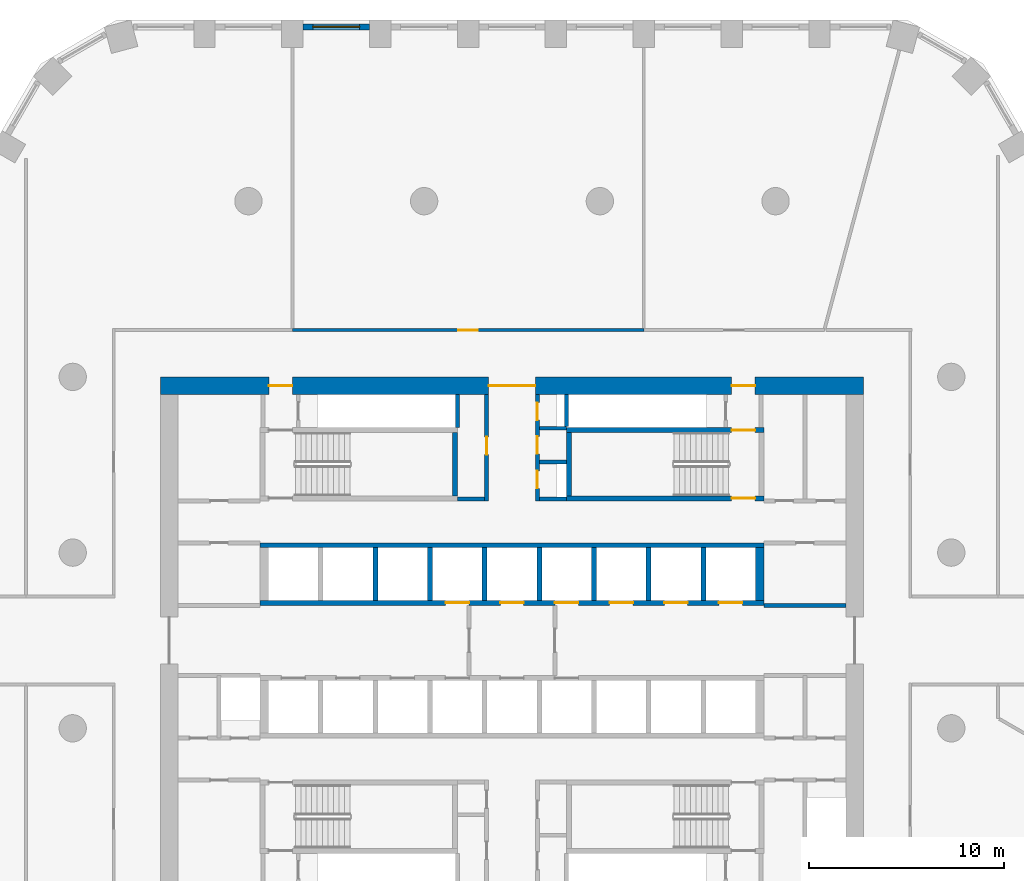
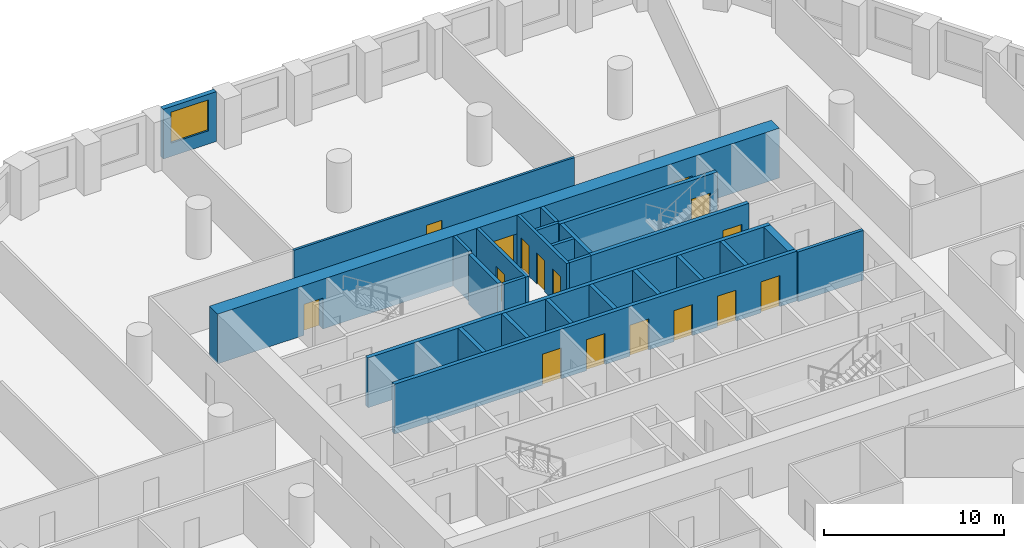
# One storey, part 6 of 10: 26 walls, 16 doors, 1 window, 17 openings.
"""IFC4 building model written with IfcOpenShell, lengths in metres."""

from ifc_helpers import new_model, si_unit, direction, frame, frame_2d, origin, place, context, subcontext, project, spatial, polyline, rectangle, outline, extrude, material, layer, layer_set, type_object, element, fill, save


model = new_model("IFC4")

# Units and contexts
model_context = context("Model", 3, precision=1e-05, world=origin(), true_north=direction((0.0, 1.0)))
body_context = subcontext(model_context, "Body", "Model", "MODEL_VIEW")
ifc_project = project(units=[si_unit("LENGTHUNIT", "METRE"), si_unit("AREAUNIT", "SQUARE_METRE"), si_unit("VOLUMEUNIT", "CUBIC_METRE"), si_unit("PLANEANGLEUNIT", "RADIAN"), si_unit("MASSUNIT", "GRAM", prefix="KILO")], contexts=[model_context])

# Site, building, storey
site_placement = place(None, origin())
site = spatial("IfcSite", under=ifc_project, at=site_placement, CompositionType="ELEMENT")
building_placement = place(site_placement, origin())
building = spatial("IfcBuilding", under=site, at=building_placement, Name="Dhurran Vertical Campus", CompositionType="ELEMENT")
storey_placement = place(building_placement, frame((0.0, 0.0, 72.89990234375)))
storey = spatial("IfcBuildingStorey", under=building, at=storey_placement, Name="L17", CompositionType="ELEMENT", Elevation=72.89990234375)

# Wall, opening, window
ifc_material_1 = material(Name="Precast concrete C50/60", Category="concrete")
ifc_layer_1 = layer(ifc_material_1, 0.300048828125)
ifc_layer_set_1 = layer_set([ifc_layer_1], Name="Precast concrete C50/60")
wall_type_1 = type_object("IfcWallType", Name="Precast spandrel wall 300", PredefinedType="SOLIDWALL", material=ifc_layer_set_1)
wall_1_placement = place(storey_placement, frame((-7.300537109375, 31.4296875, 0.0), z_axis=(0.0, 0.0, 1.0), x_axis=(-1.0, 0.0, 0.0)))
wall_1 = element("IfcWall", 1, at=wall_1_placement, inside=storey, type_object=wall_type_1, Name="EW1 L17.32", PredefinedType="SOLIDWALL", context=body_context, shape_type="SweptSolid", body=[
    extrude(rectangle(XDim=3.39892578125, YDim=0.300048828125, at=frame_2d((1.699462890625, 0.0))), origin(), (0.0, 0.0, 1.0), 3.375),
])
opening_1_placement = place(wall_1_placement, frame((0.49951171875, 0.0, 0.89990234375)))
opening_1 = element("IfcOpeningElement", 2, at=opening_1_placement, cuts=wall_1, Name="Opening WT1", PredefinedType="OPENING", context=body_context, shape_type="SweptSolid", body=[
    extrude(rectangle(XDim=2.39990234375, YDim=2.10009765625, at=frame_2d((1.199951171875, 1.050048828125))), frame((0.0, 0.159912109375, 0.0), z_axis=(0.0, -1.0, 0.0), x_axis=(1.0, 0.0, 0.0)), (0.0, 0.0, 1.0), 0.320068359375),
])
ifc_material_2 = material(Name="Aluminium frame with solar-control glass", Category="aluminium")
window_type = type_object("IfcWindowType", Name="Punched window 2400 x 2100", PartitioningType="SINGLE_PANEL", PredefinedType="WINDOW", material=ifc_material_2)
window_placement = place(opening_1_placement, origin())
window = element("IfcWindow", 3, at=window_placement, inside=storey, type_object=window_type, Name="WT1 L17.32", OverallHeight=2.10009765625, OverallWidth=2.39990234375, PartitioningType="SINGLE_PANEL", PredefinedType="WINDOW", context=body_context, shape_type="SweptSolid", body=[
    extrude(rectangle(XDim=2.39990234375, YDim=2.10009765625, at=frame_2d((1.199951171875, 1.050048828125))), frame((0.0, 0.030029296875, 0.0), z_axis=(0.0, -1.0, 0.0), x_axis=(1.0, 0.0, 0.0)), (0.0, 0.0, 1.0), 0.06005859375),
])
fill(opening_1, window)

# Wall, openings, doors
ifc_material_3 = material(Name="Concrete C60/75", Category="concrete")
ifc_layer_2 = layer(ifc_material_3, 0.89990234375)
ifc_layer_set_2 = layer_set([ifc_layer_2], Name="Concrete C60/75")
wall_type_2 = type_object("IfcWallType", Name="co-CORE-WALL-C0-900", PredefinedType="SHEAR", material=ifc_layer_set_2)
wall_2_placement = place(storey_placement, frame((-18.0, 13.050048828125, 0.0), z_axis=(0.0, 0.0, 1.0), x_axis=(1.0, 0.0, 0.0)))
wall_2 = element("IfcWall", 4, at=wall_2_placement, inside=storey, type_object=wall_type_2, Name="Core wall N L17", PredefinedType="SHEAR", context=body_context, shape_type="SweptSolid", body=[
    extrude(rectangle(XDim=36.0, YDim=0.89990234375, at=frame_2d((18.0, 0.0))), origin(), (0.0, 0.0, 1.0), 3.375),
])
opening_2_placement = place(wall_2_placement, frame((16.800048828125, 0.0, 0.0)))
opening_2 = element("IfcOpeningElement", 5, at=opening_2_placement, cuts=wall_2, Name="Opening CV1", PredefinedType="OPENING", context=body_context, shape_type="SweptSolid", body=[
    extrude(rectangle(XDim=2.39990234375, YDim=2.10009765625, at=frame_2d((1.199951171875, 1.050048828125))), frame((0.0, 0.4599609375, 0.0), z_axis=(0.0, -1.0, 0.0), x_axis=(1.0, 0.0, 0.0)), (0.0, 0.0, 1.0), 0.919921875),
])
opening_3_placement = place(wall_2_placement, frame((5.550048828125, 0.0, 0.0)))
opening_3 = element("IfcOpeningElement", 6, at=opening_3_placement, cuts=wall_2, Name="Opening XD1", PredefinedType="OPENING", context=body_context, shape_type="SweptSolid", body=[
    extrude(rectangle(XDim=1.199951171875, YDim=2.10009765625, at=frame_2d((0.60009765625, 1.050048828125))), frame((0.0, 0.4599609375, 0.0), z_axis=(0.0, -1.0, 0.0), x_axis=(1.0, 0.0, 0.0)), (0.0, 0.0, 1.0), 0.919921875),
])
opening_4_placement = place(wall_2_placement, frame((29.25, 0.0, 0.0)))
opening_4 = element("IfcOpeningElement", 7, at=opening_4_placement, cuts=wall_2, Name="Opening XD2", PredefinedType="OPENING", context=body_context, shape_type="SweptSolid", body=[
    extrude(rectangle(XDim=1.199951171875, YDim=2.10009765625, at=frame_2d((0.60009765625, 1.050048828125))), frame((0.0, 0.4599609375, 0.0), z_axis=(0.0, -1.0, 0.0), x_axis=(1.0, 0.0, 0.0)), (0.0, 0.0, 1.0), 0.919921875),
])
ifc_material_4 = material(Name="Fire-rated glazed door set")
door_type_1 = type_object("IfcDoorType", Name="co-D-LOBBY 2400x2100", OperationType="DOUBLE_DOOR_DOUBLE_SWING", PredefinedType="DOOR", material=ifc_material_4)
door_1_placement = place(opening_2_placement, origin())
door_1 = element("IfcDoor", 8, at=door_1_placement, inside=storey, type_object=door_type_1, Name="Core vestibule door N L17", OperationType="DOUBLE_DOOR_DOUBLE_SWING", OverallHeight=2.10009765625, OverallWidth=2.39990234375, PredefinedType="DOOR", context=body_context, shape_type="SweptSolid", body=[
    extrude(rectangle(XDim=2.39990234375, YDim=2.10009765625, at=frame_2d((1.199951171875, 1.050048828125))), frame((0.0, 0.02490234375, 0.0), z_axis=(0.0, -1.0, 0.0), x_axis=(1.0, 0.0, 0.0)), (0.0, 0.0, 1.0), 0.050048828125),
])
fill(opening_2, door_1)
ifc_material_5 = material(Name="Fire-rated steel door set", Category="steel")
door_type_2 = type_object("IfcDoorType", Name="co-D-STAIR-EXIT 1200x2100", OperationType="SINGLE_SWING_RIGHT", PredefinedType="DOOR", material=ifc_material_5)
door_2_placement = place(opening_3_placement, origin())
door_2 = element("IfcDoor", 9, at=door_2_placement, inside=storey, type_object=door_type_2, Name="Stair ST1 exit door L17", OperationType="SINGLE_SWING_RIGHT", OverallHeight=2.10009765625, OverallWidth=1.199951171875, PredefinedType="DOOR", context=body_context, shape_type="SweptSolid", body=[
    extrude(rectangle(XDim=1.199951171875, YDim=2.10009765625, at=frame_2d((0.60009765625, 1.050048828125))), frame((0.0, 0.02490234375, 0.0), z_axis=(0.0, -1.0, 0.0), x_axis=(1.0, 0.0, 0.0)), (0.0, 0.0, 1.0), 0.050048828125),
])
fill(opening_3, door_2)
door_3_placement = place(opening_4_placement, origin())
door_3 = element("IfcDoor", 10, at=door_3_placement, inside=storey, type_object=door_type_2, Name="Stair ST2 exit door L17", OperationType="SINGLE_SWING_RIGHT", OverallHeight=2.10009765625, OverallWidth=1.199951171875, PredefinedType="DOOR", context=body_context, shape_type="SweptSolid", body=[
    extrude(rectangle(XDim=1.199951171875, YDim=2.10009765625, at=frame_2d((0.60009765625, 1.050048828125))), frame((0.0, 0.02490234375, 0.0), z_axis=(0.0, -1.0, 0.0), x_axis=(1.0, 0.0, 0.0)), (0.0, 0.0, 1.0), 0.050048828125),
])
fill(opening_4, door_3)

# Walls
ifc_material_6 = material(Name="Fire-rated masonry blockwork", Category="masonry")
ifc_layer_3 = layer(ifc_material_6, 0.199951171875)
ifc_layer_set_3 = layer_set([ifc_layer_3], Name="Fire-rated masonry blockwork")
wall_type_3 = type_object("IfcWallType", Name="co-FIRE-PARTITION-200", PredefinedType="PARTITIONING", material=ifc_layer_set_3)
for number, where, z_axis, x_axis, name in (
    (11, (-2.800048828125, 7.25, 0.0), (0.0, 0.0, 1.0), (1.0, 0.0, 0.0), "Core partition sl-NW-S L17"),
    (12, (1.39990234375, 7.25, 0.0), (0.0, 0.0, 1.0), (1.0, 0.0, 0.0), "Core partition sl-NE-S L17"),
    (13, (1.39990234375, 9.135009765625, 0.0), (0.0, 0.0, 1.0), (1.0, 0.0, 0.0), "Core partition sl-NE-cut0 L17"),
    (14, (1.39990234375, 10.867431640625, 0.0), (0.0, 0.0, 1.0), (1.0, 0.0, 0.0), "Core partition sl-NE-cut1 L17"),
):
    element("IfcWall", number, at=place(storey_placement, frame(where, z_axis=z_axis, x_axis=x_axis)), inside=storey, type_object=wall_type_3, Name=name, PredefinedType="PARTITIONING", context=body_context, shape_type="SweptSolid", body=[
        extrude(rectangle(XDim=1.400146484375, YDim=0.199951171875, at=frame_2d((0.7001953125, 0.0))), origin(), (0.0, 0.0, 1.0), 3.375),
    ])

# Wall, opening, door
wall_3_placement = place(storey_placement, frame((-1.300048828125, 7.14990234375, 0.0), z_axis=(0.0, 0.0, 1.0), x_axis=(0.0, 1.0, 0.0)))
wall_3 = element("IfcWall", 15, at=wall_3_placement, inside=storey, type_object=wall_type_3, Name="Core partition vest-NW L17", PredefinedType="PARTITIONING", context=body_context, shape_type="SweptSolid", body=[
    extrude(rectangle(XDim=5.4501953125, YDim=0.199951171875, at=frame_2d((2.72509765625, 0.0))), origin(), (0.0, 0.0, 1.0), 3.375),
])
opening_5_placement = place(wall_3_placement, frame((2.375, 0.0, 0.0)))
opening_5 = element("IfcOpeningElement", 16, at=opening_5_placement, cuts=wall_3, Name="Opening T04-C5", PredefinedType="OPENING", context=body_context, shape_type="SweptSolid", body=[
    extrude(rectangle(XDim=0.89990234375, YDim=2.10009765625, at=frame_2d((0.449951171875, 1.050048828125))), frame((0.0, 0.10986328125, 0.0), z_axis=(0.0, -1.0, 0.0), x_axis=(1.0, 0.0, 0.0)), (0.0, 0.0, 1.0), 0.219970703125),
])
ifc_material_7 = material(Name="Fire-rated timber door set", Category="wood")
door_type_3 = type_object("IfcDoorType", Name="co-D-ROOM 900x2100", OperationType="SINGLE_SWING_LEFT", PredefinedType="DOOR", material=ifc_material_7)
door_4_placement = place(opening_5_placement, origin())
door_4 = element("IfcDoor", 17, at=door_4_placement, inside=storey, type_object=door_type_3, Name="Plant room door L17", OperationType="SINGLE_SWING_LEFT", OverallHeight=2.10009765625, OverallWidth=0.89990234375, PredefinedType="DOOR", context=body_context, shape_type="SweptSolid", body=[
    extrude(rectangle(XDim=0.89990234375, YDim=2.10009765625, at=frame_2d((0.449951171875, 1.050048828125))), frame((0.0, 0.02490234375, 0.0), z_axis=(0.0, -1.0, 0.0), x_axis=(1.0, 0.0, 0.0)), (0.0, 0.0, 1.0), 0.050048828125),
])
fill(opening_5, door_4)

# Wall, openings, doors
wall_4_placement = place(storey_placement, frame((1.300048828125, 7.14990234375, 0.0), z_axis=(0.0, 0.0, 1.0), x_axis=(0.0, 1.0, 0.0)))
wall_4 = element("IfcWall", 18, at=wall_4_placement, inside=storey, type_object=wall_type_3, Name="Core partition vest-NE L17", PredefinedType="PARTITIONING", context=body_context, shape_type="SweptSolid", body=[
    extrude(rectangle(XDim=5.4501953125, YDim=0.199951171875, at=frame_2d((2.72509765625, 0.0))), origin(), (0.0, 0.0, 1.0), 3.375),
])
opening_6_placement = place(wall_4_placement, frame((0.642578125, 0.0, 0.0)))
opening_6 = element("IfcOpeningElement", 19, at=opening_6_placement, cuts=wall_4, Name="Opening T04-C6", PredefinedType="OPENING", context=body_context, shape_type="SweptSolid", body=[
    extrude(rectangle(XDim=0.89990234375, YDim=2.10009765625, at=frame_2d((0.449951171875, 1.050048828125))), frame((0.0, 0.10986328125, 0.0), z_axis=(0.0, -1.0, 0.0), x_axis=(1.0, 0.0, 0.0)), (0.0, 0.0, 1.0), 0.219970703125),
])
opening_7_placement = place(wall_4_placement, frame((2.401123046875, 0.0, 0.0)))
opening_7 = element("IfcOpeningElement", 20, at=opening_7_placement, cuts=wall_4, Name="Opening T04-C7", PredefinedType="OPENING", context=body_context, shape_type="SweptSolid", body=[
    extrude(rectangle(XDim=0.89990234375, YDim=2.10009765625, at=frame_2d((0.449951171875, 1.050048828125))), frame((0.0, 0.10986328125, 0.0), z_axis=(0.0, -1.0, 0.0), x_axis=(1.0, 0.0, 0.0)), (0.0, 0.0, 1.0), 0.219970703125),
])
opening_8_placement = place(wall_4_placement, frame((4.1337890625, 0.0, 0.0)))
opening_8 = element("IfcOpeningElement", 21, at=opening_8_placement, cuts=wall_4, Name="Opening T04-C8", PredefinedType="OPENING", context=body_context, shape_type="SweptSolid", body=[
    extrude(rectangle(XDim=0.89990234375, YDim=2.10009765625, at=frame_2d((0.449951171875, 1.050048828125))), frame((0.0, 0.10986328125, 0.0), z_axis=(0.0, -1.0, 0.0), x_axis=(1.0, 0.0, 0.0)), (0.0, 0.0, 1.0), 0.219970703125),
])
door_5_placement = place(opening_6_placement, origin())
door_5 = element("IfcDoor", 22, at=door_5_placement, inside=storey, type_object=door_type_3, Name="Water riser door L17", OperationType="SINGLE_SWING_LEFT", OverallHeight=2.10009765625, OverallWidth=0.89990234375, PredefinedType="DOOR", context=body_context, shape_type="SweptSolid", body=[
    extrude(rectangle(XDim=0.89990234375, YDim=2.10009765625, at=frame_2d((0.449951171875, 1.050048828125))), frame((0.0, 0.02490234375, 0.0), z_axis=(0.0, -1.0, 0.0), x_axis=(1.0, 0.0, 0.0)), (0.0, 0.0, 1.0), 0.050048828125),
])
fill(opening_6, door_5)
door_6_placement = place(opening_7_placement, origin())
door_6 = element("IfcDoor", 23, at=door_6_placement, inside=storey, type_object=door_type_3, Name="Waste room door L17", OperationType="SINGLE_SWING_LEFT", OverallHeight=2.10009765625, OverallWidth=0.89990234375, PredefinedType="DOOR", context=body_context, shape_type="SweptSolid", body=[
    extrude(rectangle(XDim=0.89990234375, YDim=2.10009765625, at=frame_2d((0.449951171875, 1.050048828125))), frame((0.0, 0.02490234375, 0.0), z_axis=(0.0, -1.0, 0.0), x_axis=(1.0, 0.0, 0.0)), (0.0, 0.0, 1.0), 0.050048828125),
])
fill(opening_7, door_6)
door_7_placement = place(opening_8_placement, origin())
door_7 = element("IfcDoor", 24, at=door_7_placement, inside=storey, type_object=door_type_3, Name="Electrical riser door L17", OperationType="SINGLE_SWING_LEFT", OverallHeight=2.10009765625, OverallWidth=0.89990234375, PredefinedType="DOOR", context=body_context, shape_type="SweptSolid", body=[
    extrude(rectangle(XDim=0.89990234375, YDim=2.10009765625, at=frame_2d((0.449951171875, 1.050048828125))), frame((0.0, 0.02490234375, 0.0), z_axis=(0.0, -1.0, 0.0), x_axis=(1.0, 0.0, 0.0)), (0.0, 0.0, 1.0), 0.050048828125),
])
fill(opening_8, door_7)

# Walls
wall_5_placement = place(storey_placement, frame((12.89990234375, 1.800048828125, 0.0), z_axis=(0.0, 0.0, 1.0), x_axis=(1.0, 0.0, 0.0)))
element("IfcWall", 25, at=wall_5_placement, inside=storey, type_object=wall_type_3, Name="Core partition es-NE-l L17", PredefinedType="PARTITIONING", context=body_context, shape_type="SweptSolid", body=[
    extrude(rectangle(XDim=4.2001953125, YDim=0.199951171875, at=frame_2d((2.10009765625, 0.0))), origin(), (0.0, 0.0, 1.0), 3.375),
])
wall_6_placement = place(storey_placement, frame((-2.800048828125, 10.90087890625, 0.0), z_axis=(0.0, 0.0, 1.0), x_axis=(0.0, 1.0, 0.0)))
element("IfcWall", 26, at=wall_6_placement, inside=storey, type_object=wall_type_3, Name="Riser enclosure wall L17", PredefinedType="PARTITIONING", context=body_context, shape_type="SweptSolid", body=[
    extrude(rectangle(XDim=1.6982421875, YDim=0.199951171875, at=frame_2d((0.84912109375, 0.0))), origin(), (0.0, 0.0, 1.0), 3.375),
])
wall_7_placement = place(storey_placement, frame((2.800048828125, 10.968505859375, 0.0), z_axis=(0.0, 0.0, 1.0), x_axis=(0.0, 1.0, 0.0)))
element("IfcWall", 27, at=wall_7_placement, inside=storey, type_object=wall_type_3, Name="Riser enclosure wall L17", PredefinedType="PARTITIONING", context=body_context, shape_type="SweptSolid", body=[
    extrude(rectangle(XDim=1.630615234375, YDim=0.199951171875, at=frame_2d((0.8154296875, 0.0))), origin(), (0.0, 0.0, 1.0), 3.375),
])

# Wall, openings, doors
ifc_material_8 = material(Name="Concrete C50/60", Category="concrete")
ifc_layer_4 = layer(ifc_material_8, 0.25)
ifc_layer_set_4 = layer_set([ifc_layer_4], Name="Concrete C50/60")
wall_type_4 = type_object("IfcWallType", Name="co-SHAFT-FRONT-250", PredefinedType="SHEAR", material=ifc_layer_set_4)
wall_8_placement = place(storey_placement, frame((-12.89990234375, 1.925048828125, 0.0), z_axis=(0.0, 0.0, 1.0), x_axis=(1.0, 0.0, 0.0)))
wall_8 = element("IfcWall", 28, at=wall_8_placement, inside=storey, type_object=wall_type_4, Name="Lift landing wall N L17", PredefinedType="SHEAR", context=body_context, shape_type="SweptSolid", body=[
    extrude(rectangle(XDim=25.7998046875, YDim=0.25, at=frame_2d((12.89990234375, 0.0))), origin(), (0.0, 0.0, 1.0), 3.375),
])
opening_9_placement = place(wall_8_placement, frame((9.5, 0.0, 0.0)))
opening_9 = element("IfcOpeningElement", 29, at=opening_9_placement, cuts=wall_8, Name="Opening LD", PredefinedType="OPENING", context=body_context, shape_type="SweptSolid", body=[
    extrude(rectangle(XDim=1.199951171875, YDim=2.10009765625, at=frame_2d((0.60009765625, 1.050048828125))), frame((0.0, 0.135009765625, 0.0), z_axis=(0.0, -1.0, 0.0), x_axis=(1.0, 0.0, 0.0)), (0.0, 0.0, 1.0), 0.27001953125),
])
opening_10_placement = place(wall_8_placement, frame((12.300048828125, 0.0, 0.0)))
opening_10 = element("IfcOpeningElement", 30, at=opening_10_placement, cuts=wall_8, Name="Opening LD", PredefinedType="OPENING", context=body_context, shape_type="SweptSolid", body=[
    extrude(rectangle(XDim=1.199951171875, YDim=2.10009765625, at=frame_2d((0.60009765625, 1.050048828125))), frame((0.0, 0.135009765625, 0.0), z_axis=(0.0, -1.0, 0.0), x_axis=(1.0, 0.0, 0.0)), (0.0, 0.0, 1.0), 0.27001953125),
])
opening_11_placement = place(wall_8_placement, frame((15.10009765625, 0.0, 0.0)))
opening_11 = element("IfcOpeningElement", 31, at=opening_11_placement, cuts=wall_8, Name="Opening LD", PredefinedType="OPENING", context=body_context, shape_type="SweptSolid", body=[
    extrude(rectangle(XDim=1.199951171875, YDim=2.10009765625, at=frame_2d((0.60009765625, 1.050048828125))), frame((0.0, 0.135009765625, 0.0), z_axis=(0.0, -1.0, 0.0), x_axis=(1.0, 0.0, 0.0)), (0.0, 0.0, 1.0), 0.27001953125),
])
opening_12_placement = place(wall_8_placement, frame((17.89990234375, 0.0, 0.0)))
opening_12 = element("IfcOpeningElement", 32, at=opening_12_placement, cuts=wall_8, Name="Opening LD", PredefinedType="OPENING", context=body_context, shape_type="SweptSolid", body=[
    extrude(rectangle(XDim=1.199951171875, YDim=2.10009765625, at=frame_2d((0.60009765625, 1.050048828125))), frame((0.0, 0.135009765625, 0.0), z_axis=(0.0, -1.0, 0.0), x_axis=(1.0, 0.0, 0.0)), (0.0, 0.0, 1.0), 0.27001953125),
])
opening_13_placement = place(wall_8_placement, frame((20.699951171875, 0.0, 0.0)))
opening_13 = element("IfcOpeningElement", 33, at=opening_13_placement, cuts=wall_8, Name="Opening LD", PredefinedType="OPENING", context=body_context, shape_type="SweptSolid", body=[
    extrude(rectangle(XDim=1.199951171875, YDim=2.10009765625, at=frame_2d((0.60009765625, 1.050048828125))), frame((0.0, 0.135009765625, 0.0), z_axis=(0.0, -1.0, 0.0), x_axis=(1.0, 0.0, 0.0)), (0.0, 0.0, 1.0), 0.27001953125),
])
opening_14_placement = place(wall_8_placement, frame((23.5, 0.0, 0.0)))
opening_14 = element("IfcOpeningElement", 34, at=opening_14_placement, cuts=wall_8, Name="Opening LD", PredefinedType="OPENING", context=body_context, shape_type="SweptSolid", body=[
    extrude(rectangle(XDim=1.199951171875, YDim=2.10009765625, at=frame_2d((0.60009765625, 1.050048828125))), frame((0.0, 0.135009765625, 0.0), z_axis=(0.0, -1.0, 0.0), x_axis=(1.0, 0.0, 0.0)), (0.0, 0.0, 1.0), 0.27001953125),
])
ifc_material_9 = material(Name="Stainless steel landing door", Category="steel")
door_type_4 = type_object("IfcDoorType", Name="co-D-LANDING 1200x2100", OperationType="DOUBLE_DOOR_SLIDING", PredefinedType="DOOR", material=ifc_material_9)
door_8_placement = place(opening_9_placement, origin())
door_8 = element("IfcDoor", 35, at=door_8_placement, inside=storey, type_object=door_type_4, Name="Landing door LR1 L17", OperationType="DOUBLE_DOOR_SLIDING", OverallHeight=2.10009765625, OverallWidth=1.199951171875, PredefinedType="DOOR", context=body_context, shape_type="SweptSolid", body=[
    extrude(rectangle(XDim=1.199951171875, YDim=2.10009765625, at=frame_2d((0.60009765625, 1.050048828125))), frame((0.0, 0.02490234375, 0.0), z_axis=(0.0, -1.0, 0.0), x_axis=(1.0, 0.0, 0.0)), (0.0, 0.0, 1.0), 0.050048828125),
])
fill(opening_9, door_8)
door_9_placement = place(opening_10_placement, origin())
door_9 = element("IfcDoor", 36, at=door_9_placement, inside=storey, type_object=door_type_4, Name="Landing door FF1 L17", OperationType="DOUBLE_DOOR_SLIDING", OverallHeight=2.10009765625, OverallWidth=1.199951171875, PredefinedType="DOOR", context=body_context, shape_type="SweptSolid", body=[
    extrude(rectangle(XDim=1.199951171875, YDim=2.10009765625, at=frame_2d((0.60009765625, 1.050048828125))), frame((0.0, 0.02490234375, 0.0), z_axis=(0.0, -1.0, 0.0), x_axis=(1.0, 0.0, 0.0)), (0.0, 0.0, 1.0), 0.050048828125),
])
fill(opening_10, door_9)
door_10_placement = place(opening_11_placement, origin())
door_10 = element("IfcDoor", 37, at=door_10_placement, inside=storey, type_object=door_type_4, Name="Landing door LR2 L17", OperationType="DOUBLE_DOOR_SLIDING", OverallHeight=2.10009765625, OverallWidth=1.199951171875, PredefinedType="DOOR", context=body_context, shape_type="SweptSolid", body=[
    extrude(rectangle(XDim=1.199951171875, YDim=2.10009765625, at=frame_2d((0.60009765625, 1.050048828125))), frame((0.0, 0.02490234375, 0.0), z_axis=(0.0, -1.0, 0.0), x_axis=(1.0, 0.0, 0.0)), (0.0, 0.0, 1.0), 0.050048828125),
])
fill(opening_11, door_10)
door_11_placement = place(opening_12_placement, origin())
door_11 = element("IfcDoor", 38, at=door_11_placement, inside=storey, type_object=door_type_4, Name="Landing door LR3 L17", OperationType="DOUBLE_DOOR_SLIDING", OverallHeight=2.10009765625, OverallWidth=1.199951171875, PredefinedType="DOOR", context=body_context, shape_type="SweptSolid", body=[
    extrude(rectangle(XDim=1.199951171875, YDim=2.10009765625, at=frame_2d((0.60009765625, 1.050048828125))), frame((0.0, 0.02490234375, 0.0), z_axis=(0.0, -1.0, 0.0), x_axis=(1.0, 0.0, 0.0)), (0.0, 0.0, 1.0), 0.050048828125),
])
fill(opening_12, door_11)
door_12_placement = place(opening_13_placement, origin())
door_12 = element("IfcDoor", 39, at=door_12_placement, inside=storey, type_object=door_type_4, Name="Landing door LR4 L17", OperationType="DOUBLE_DOOR_SLIDING", OverallHeight=2.10009765625, OverallWidth=1.199951171875, PredefinedType="DOOR", context=body_context, shape_type="SweptSolid", body=[
    extrude(rectangle(XDim=1.199951171875, YDim=2.10009765625, at=frame_2d((0.60009765625, 1.050048828125))), frame((0.0, 0.02490234375, 0.0), z_axis=(0.0, -1.0, 0.0), x_axis=(1.0, 0.0, 0.0)), (0.0, 0.0, 1.0), 0.050048828125),
])
fill(opening_13, door_12)
door_13_placement = place(opening_14_placement, origin())
door_13 = element("IfcDoor", 40, at=door_13_placement, inside=storey, type_object=door_type_4, Name="Landing door SV2 L17", OperationType="DOUBLE_DOOR_SLIDING", OverallHeight=2.10009765625, OverallWidth=1.199951171875, PredefinedType="DOOR", context=body_context, shape_type="SweptSolid", body=[
    extrude(rectangle(XDim=1.199951171875, YDim=2.10009765625, at=frame_2d((0.60009765625, 1.050048828125))), frame((0.0, 0.02490234375, 0.0), z_axis=(0.0, -1.0, 0.0), x_axis=(1.0, 0.0, 0.0)), (0.0, 0.0, 1.0), 0.050048828125),
])
fill(opening_14, door_13)

# Walls
ifc_material_10 = material(Name="Concrete C50/60", Category="concrete")
ifc_layer_5 = layer(ifc_material_10, 0.25)
ifc_layer_set_5 = layer_set([ifc_layer_5], Name="Concrete C50/60")
wall_type_5 = type_object("IfcWallType", Name="co-SHAFT-MASS-250", PredefinedType="SHEAR", material=ifc_layer_set_5)
wall_9_placement = place(storey_placement, origin())
element("IfcWall", 41, at=wall_9_placement, inside=storey, type_object=wall_type_5, Name="Lift shaft wall N L17 1", PredefinedType="SHEAR", context=body_context, shape_type="SweptSolid", body=[
    extrude(outline(polyline([(-12.89990234375, 4.75), (12.89990234375, 4.75), (12.89990234375, 5.0), (-12.89990234375, 5.0), (-12.89990234375, 4.75)])), origin(), (0.0, 0.0, 1.0), 3.375),
])
wall_10_placement = place(storey_placement, origin())
element("IfcWall", 42, at=wall_10_placement, inside=storey, type_object=wall_type_5, Name="Lift shaft wall N L17 4", PredefinedType="SHEAR", context=body_context, shape_type="SweptSolid", body=[
    extrude(outline(polyline([(-7.125, 2.050048828125), (-6.875, 2.050048828125), (-6.875, 4.75), (-7.125, 4.75), (-7.125, 2.050048828125)])), origin(), (0.0, 0.0, 1.0), 3.375),
])
wall_11_placement = place(storey_placement, origin())
element("IfcWall", 43, at=wall_11_placement, inside=storey, type_object=wall_type_5, Name="Lift shaft wall N L17 5", PredefinedType="SHEAR", context=body_context, shape_type="SweptSolid", body=[
    extrude(outline(polyline([(-4.324951171875, 2.050048828125), (-4.074951171875, 2.050048828125), (-4.074951171875, 4.75), (-4.324951171875, 4.75), (-4.324951171875, 2.050048828125)])), origin(), (0.0, 0.0, 1.0), 3.375),
])
wall_12_placement = place(storey_placement, origin())
element("IfcWall", 44, at=wall_12_placement, inside=storey, type_object=wall_type_5, Name="Lift shaft wall N L17 6", PredefinedType="SHEAR", context=body_context, shape_type="SweptSolid", body=[
    extrude(outline(polyline([(-1.52490234375, 2.050048828125), (-1.27490234375, 2.050048828125), (-1.27490234375, 4.75), (-1.52490234375, 4.75), (-1.52490234375, 2.050048828125)])), origin(), (0.0, 0.0, 1.0), 3.375),
])
wall_13_placement = place(storey_placement, origin())
element("IfcWall", 45, at=wall_13_placement, inside=storey, type_object=wall_type_5, Name="Lift shaft wall N L17 7", PredefinedType="SHEAR", context=body_context, shape_type="SweptSolid", body=[
    extrude(outline(polyline([(1.27490234375, 2.050048828125), (1.52490234375, 2.050048828125), (1.52490234375, 4.75), (1.27490234375, 4.75), (1.27490234375, 2.050048828125)])), origin(), (0.0, 0.0, 1.0), 3.375),
])
wall_14_placement = place(storey_placement, origin())
element("IfcWall", 46, at=wall_14_placement, inside=storey, type_object=wall_type_5, Name="Lift shaft wall N L17 8", PredefinedType="SHEAR", context=body_context, shape_type="SweptSolid", body=[
    extrude(outline(polyline([(4.074951171875, 2.050048828125), (4.324951171875, 2.050048828125), (4.324951171875, 4.75), (4.074951171875, 4.75), (4.074951171875, 2.050048828125)])), origin(), (0.0, 0.0, 1.0), 3.375),
])
wall_15_placement = place(storey_placement, origin())
element("IfcWall", 47, at=wall_15_placement, inside=storey, type_object=wall_type_5, Name="Lift shaft wall N L17 9", PredefinedType="SHEAR", context=body_context, shape_type="SweptSolid", body=[
    extrude(outline(polyline([(6.875, 2.050048828125), (7.125, 2.050048828125), (7.125, 4.75), (6.875, 4.75), (6.875, 2.050048828125)])), origin(), (0.0, 0.0, 1.0), 3.375),
])
wall_16_placement = place(storey_placement, origin())
element("IfcWall", 48, at=wall_16_placement, inside=storey, type_object=wall_type_5, Name="Lift shaft wall N L17 10", PredefinedType="SHEAR", context=body_context, shape_type="SweptSolid", body=[
    extrude(outline(polyline([(9.675048828125, 2.050048828125), (9.925048828125, 2.050048828125), (9.925048828125, 4.75), (9.675048828125, 4.75), (9.675048828125, 2.050048828125)])), origin(), (0.0, 0.0, 1.0), 3.375),
])
wall_17_placement = place(storey_placement, origin())
element("IfcWall", 49, at=wall_17_placement, inside=storey, type_object=wall_type_5, Name="Lift shaft wall N L17 11", PredefinedType="SHEAR", context=body_context, shape_type="SweptSolid", body=[
    extrude(outline(polyline([(12.47509765625, 2.050048828125), (12.89990234375, 2.050048828125), (12.89990234375, 4.75), (12.47509765625, 4.75), (12.47509765625, 2.050048828125)])), origin(), (0.0, 0.0, 1.0), 3.375),
])
ifc_material_11 = material(Name="Concrete C40/50", Category="concrete")
ifc_layer_6 = layer(ifc_material_11, 0.25)
ifc_layer_set_6 = layer_set([ifc_layer_6], Name="Concrete C40/50")
wall_type_6 = type_object("IfcWallType", Name="co-STAIR-WALL-250", PredefinedType="SHEAR", material=ifc_layer_set_6)
wall_18_placement = place(storey_placement, frame((-2.925048828125, 7.39990234375, 0.0), z_axis=(0.0, 0.0, 1.0), x_axis=(0.0, 1.0, 0.0)))
element("IfcWall", 50, at=wall_18_placement, inside=storey, type_object=wall_type_6, Name="Stair ST1 enclosure wall L17", PredefinedType="SHEAR", context=body_context, shape_type="SweptSolid", body=[
    extrude(rectangle(XDim=3.25, YDim=0.25, at=frame_2d((1.625, 0.0))), origin(), (0.0, 0.0, 1.0), 3.375),
])

# Wall, opening, door
wall_19_placement = place(storey_placement, frame((2.800048828125, 7.27490234375, 0.0), z_axis=(0.0, 0.0, 1.0), x_axis=(1.0, 0.0, 0.0)))
wall_19 = element("IfcWall", 51, at=wall_19_placement, inside=storey, type_object=wall_type_6, Name="Stair ST2 enclosure wall L17", PredefinedType="SHEAR", context=body_context, shape_type="SweptSolid", body=[
    extrude(rectangle(XDim=10.099853515625, YDim=0.25, at=frame_2d((5.0498046875, 0.0))), origin(), (0.0, 0.0, 1.0), 3.375),
])
opening_15_placement = place(wall_19_placement, frame((8.449951171875, 0.0, 0.0)))
opening_15 = element("IfcOpeningElement", 52, at=opening_15_placement, cuts=wall_19, Name="Opening SD2", PredefinedType="OPENING", context=body_context, shape_type="SweptSolid", body=[
    extrude(rectangle(XDim=1.199951171875, YDim=2.10009765625, at=frame_2d((0.60009765625, 1.050048828125))), frame((0.0, 0.135009765625, 0.0), z_axis=(0.0, -1.0, 0.0), x_axis=(1.0, 0.0, 0.0)), (0.0, 0.0, 1.0), 0.27001953125),
])
ifc_material_12 = material(Name="Fire-rated steel door set", Category="steel")
door_type_5 = type_object("IfcDoorType", Name="co-D-STAIR 1200x2100", OperationType="SINGLE_SWING_LEFT", PredefinedType="DOOR", material=ifc_material_12)
door_14_placement = place(opening_15_placement, origin())
door_14 = element("IfcDoor", 53, at=door_14_placement, inside=storey, type_object=door_type_5, Name="Stair ST2 door L17", OperationType="SINGLE_SWING_LEFT", OverallHeight=2.10009765625, OverallWidth=1.199951171875, PredefinedType="DOOR", context=body_context, shape_type="SweptSolid", body=[
    extrude(rectangle(XDim=1.199951171875, YDim=2.10009765625, at=frame_2d((0.60009765625, 1.050048828125))), frame((0.0, 0.02490234375, 0.0), z_axis=(0.0, -1.0, 0.0), x_axis=(1.0, 0.0, 0.0)), (0.0, 0.0, 1.0), 0.050048828125),
])
fill(opening_15, door_14)

wall_20_placement = place(storey_placement, frame((2.800048828125, 10.77490234375, 0.0), z_axis=(0.0, 0.0, 1.0), x_axis=(1.0, 0.0, 0.0)))
wall_20 = element("IfcWall", 54, at=wall_20_placement, inside=storey, type_object=wall_type_6, Name="Stair ST2 enclosure wall L17", PredefinedType="SHEAR", context=body_context, shape_type="SweptSolid", body=[
    extrude(rectangle(XDim=10.099853515625, YDim=0.25, at=frame_2d((5.0498046875, 0.0))), origin(), (0.0, 0.0, 1.0), 3.375),
])
opening_16_placement = place(wall_20_placement, frame((8.449951171875, 0.0, 0.0)))
opening_16 = element("IfcOpeningElement", 55, at=opening_16_placement, cuts=wall_20, Name="Opening XS2", PredefinedType="OPENING", context=body_context, shape_type="SweptSolid", body=[
    extrude(rectangle(XDim=1.199951171875, YDim=2.10009765625, at=frame_2d((0.60009765625, 1.050048828125))), frame((0.0, 0.135009765625, 0.0), z_axis=(0.0, -1.0, 0.0), x_axis=(1.0, 0.0, 0.0)), (0.0, 0.0, 1.0), 0.27001953125),
])
door_15_placement = place(opening_16_placement, origin())
door_15 = element("IfcDoor", 56, at=door_15_placement, inside=storey, type_object=door_type_2, Name="Stair ST2 discharge door L17", OperationType="SINGLE_SWING_RIGHT", OverallHeight=2.10009765625, OverallWidth=1.199951171875, PredefinedType="DOOR", context=body_context, shape_type="SweptSolid", body=[
    extrude(rectangle(XDim=1.199951171875, YDim=2.10009765625, at=frame_2d((0.60009765625, 1.050048828125))), frame((0.0, 0.02490234375, 0.0), z_axis=(0.0, -1.0, 0.0), x_axis=(1.0, 0.0, 0.0)), (0.0, 0.0, 1.0), 0.050048828125),
])
fill(opening_16, door_15)

# Wall
wall_21_placement = place(storey_placement, frame((2.925048828125, 7.39990234375, 0.0), z_axis=(0.0, 0.0, 1.0), x_axis=(0.0, 1.0, 0.0)))
element("IfcWall", 57, at=wall_21_placement, inside=storey, type_object=wall_type_6, Name="Stair ST2 enclosure wall L17", PredefinedType="SHEAR", context=body_context, shape_type="SweptSolid", body=[
    extrude(rectangle(XDim=3.25, YDim=0.25, at=frame_2d((1.625, 0.0))), origin(), (0.0, 0.0, 1.0), 3.375),
])

# Wall, opening, door
ifc_material_13 = material(Name="Gypsum board corridor wall on steel studs", Category="steel")
ifc_layer_7 = layer(ifc_material_13, 0.14990234375)
ifc_layer_set_7 = layer_set([ifc_layer_7], Name="Gypsum board corridor wall on steel studs")
wall_type_7 = type_object("IfcWallType", Name="fl-CW-150 corridor wall", PredefinedType="PARTITIONING", material=ifc_layer_set_7)
wall_22_placement = place(storey_placement, frame((6.75, 15.89990234375, 0.0), z_axis=(0.0, 0.0, 1.0), x_axis=(-1.0, 0.0, 0.0)))
wall_22 = element("IfcWall", 58, at=wall_22_placement, inside=storey, type_object=wall_type_7, Name="Partition 17-18", PredefinedType="PARTITIONING", context=body_context, shape_type="SweptSolid", body=[
    extrude(rectangle(XDim=18.0, YDim=0.14990234375, at=frame_2d((9.0, 0.0))), origin(), (0.0, 0.0, 1.0), 3.375),
])
opening_17_placement = place(wall_22_placement, frame((8.5, 0.0, 0.0)))
opening_17 = element("IfcOpeningElement", 59, at=opening_17_placement, cuts=wall_22, Name="Opening T04.09", PredefinedType="OPENING", context=body_context, shape_type="SweptSolid", body=[
    extrude(rectangle(XDim=1.0, YDim=2.10009765625, at=frame_2d((0.5, 1.050048828125))), frame((0.0, 0.0849609375, 0.0), z_axis=(0.0, -1.0, 0.0), x_axis=(1.0, 0.0, 0.0)), (0.0, 0.0, 1.0), 0.169921875),
])
ifc_material_14 = material(Name="Solid-core timber door set, fire-rated", Category="wood")
door_type_6 = type_object("IfcDoorType", Name="fl-D-1000x2100", OperationType="SINGLE_SWING_LEFT", PredefinedType="DOOR", material=ifc_material_14)
door_16_placement = place(opening_17_placement, origin())
door_16 = element("IfcDoor", 60, at=door_16_placement, inside=storey, type_object=door_type_6, Name="Door 17.09", OperationType="SINGLE_SWING_RIGHT", OverallHeight=2.10009765625, OverallWidth=1.0, PredefinedType="DOOR", context=body_context, shape_type="SweptSolid", body=[
    extrude(rectangle(XDim=1.0, YDim=2.10009765625, at=frame_2d((0.5, 1.050048828125))), frame((0.0, 0.02490234375, 0.0), z_axis=(0.0, -1.0, 0.0), x_axis=(1.0, 0.0, 0.0)), (0.0, 0.0, 1.0), 0.050048828125),
])
fill(opening_17, door_16)

save(model, "model.ifc")
